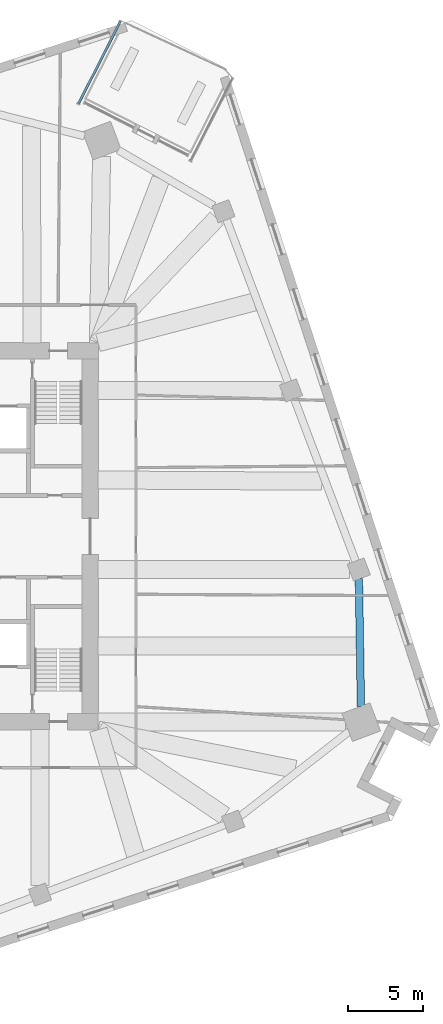
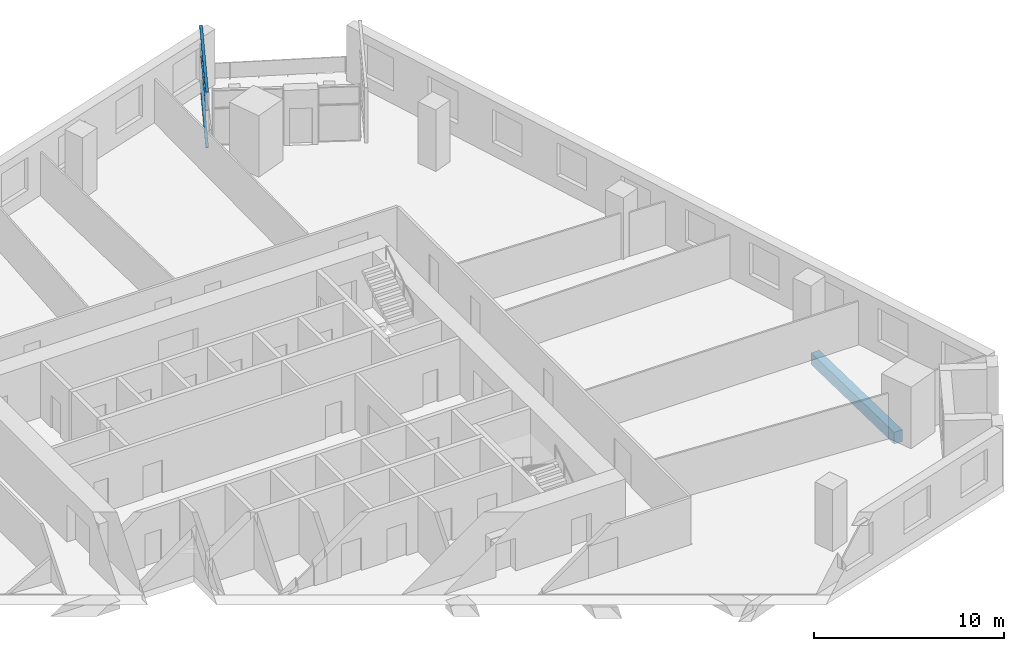
# One storey, part 3 of 12: 3 members, 1 beam, 1 element without a shape of its own.
"""IFC4 building model written with IfcOpenShell, lengths in metres."""

from ifc_helpers import new_model, si_unit, direction, frame, origin, origin_2d, place, context, subcontext, project, spatial, rectangle, extrude, material, material_profile, profile_set, type_object, element, aggregate, save


model = new_model("IFC4")

# Units and contexts
model_context = context("Model", 3, precision=1e-05, world=origin(), true_north=direction((0.0, 1.0)))
body_context = subcontext(model_context, "Body", "Model", "MODEL_VIEW")
ifc_project = project(units=[si_unit("LENGTHUNIT", "METRE"), si_unit("AREAUNIT", "SQUARE_METRE"), si_unit("VOLUMEUNIT", "CUBIC_METRE"), si_unit("PLANEANGLEUNIT", "RADIAN"), si_unit("MASSUNIT", "GRAM", prefix="KILO")], contexts=[model_context])

# Site, building, storey
site_placement = place(None, origin())
site = spatial("IfcSite", under=ifc_project, at=site_placement, CompositionType="ELEMENT")
building_placement = place(site_placement, origin())
building = spatial("IfcBuilding", under=site, at=building_placement, Name="Dilmun Exchange Tower", CompositionType="ELEMENT")
storey_placement = place(building_placement, frame((0.0, 0.0, 98.10009765625)))
storey = spatial("IfcBuildingStorey", under=building, at=storey_placement, Name="L22", CompositionType="ELEMENT", Elevation=98.10009765625)

# Curtain wall, members
ifc_material_1 = material(Name="Anodised aluminium and clear glass", Category="aluminium")
curtain_wall_type = type_object("IfcCurtainWallType", Name="Garden corner glazing", PredefinedType="NOTDEFINED", material=ifc_material_1)
curtain_wall_placement = place(storey_placement, origin())
curtain_wall = element("IfcCurtainWall", 1, at=curtain_wall_placement, inside=storey, type_object=curtain_wall_type, Name="Garden corner glazing run GC3.1", PredefinedType="NOTDEFINED")
ifc_material_2 = material(Name="Anodised aluminium", Category="aluminium")
ifc_material_profile_1 = material_profile(ifc_material_2, rectangle(XDim=0.159912109375, YDim=0.06005859375, at=origin_2d()), Name="AL 60x160")
ifc_profile_set_1 = profile_set([ifc_material_profile_1], Name="Anodised aluminium")
member_type = type_object("IfcMemberType", Name="Garden corner glazing transom 60 x 160", PredefinedType="USERDEFINED", material=ifc_profile_set_1)
member_1_placement = place(storey_placement, frame((11.572509765625, 28.824462890625, 0.02978515625), z_axis=(0.453975328977, 0.891014253915, 0.0), x_axis=(-0.891014253915, 0.453975328977, 0.0)))
member_1 = element("IfcMember", 2, at=member_1_placement, type_object=member_type, Name="GC3.1 transom 1.1", ObjectType="TRANSOM", PredefinedType="USERDEFINED", context=body_context, shape_type="SweptSolid", body=[
    extrude(rectangle(XDim=0.159912109375, YDim=0.06005859375, at=origin_2d()), origin(), (0.0, 0.0, 1.0), 6.12646484375),
])
member_2_placement = place(storey_placement, frame((11.572509765625, 28.824462890625, 2.39990234375), z_axis=(0.453975328977, 0.891014253915, 0.0), x_axis=(-0.891014253915, 0.453975328977, 0.0)))
member_2 = element("IfcMember", 3, at=member_2_placement, type_object=member_type, Name="GC3.1 transom 1.2", ObjectType="TRANSOM", PredefinedType="USERDEFINED", context=body_context, shape_type="SweptSolid", body=[
    extrude(rectangle(XDim=0.159912109375, YDim=0.06005859375, at=origin_2d()), origin(), (0.0, 0.0, 1.0), 6.12646484375),
])
member_3_placement = place(storey_placement, frame((11.572509765625, 28.824462890625, 3.5498046875), z_axis=(0.453975328977, 0.891014253915, 0.0), x_axis=(-0.891014253915, 0.453975328977, 0.0)))
member_3 = element("IfcMember", 4, at=member_3_placement, type_object=member_type, Name="GC3.1 transom 1.3", ObjectType="TRANSOM", PredefinedType="USERDEFINED", context=body_context, shape_type="SweptSolid", body=[
    extrude(rectangle(XDim=0.159912109375, YDim=0.06005859375, at=origin_2d()), origin(), (0.0, 0.0, 1.0), 6.12646484375),
])
aggregate(curtain_wall, [member_1, member_2, member_3])

# Beam
ifc_material_3 = material(Name="Concrete C40/50", Category="concrete")
ifc_material_profile_2 = material_profile(ifc_material_3, rectangle(XDim=0.5, YDim=0.75, at=origin_2d()), Name="500 x 750")
ifc_profile_set_2 = profile_set([ifc_material_profile_2], Name="Concrete C40/50")
beam_type = type_object("IfcBeamType", Name="RC ring beam 500 x 750 C40/50", PredefinedType="SPANDREL", material=ifc_profile_set_2)
beam_placement = place(storey_placement, frame((30.37744140625, -11.33544921875, -0.795166015625), z_axis=(-0.016054357527, 0.999871120497, 0.0), x_axis=(-0.999871120497, -0.016054357527, 0.0)))
element("IfcBeam", 5, at=beam_placement, inside=storey, type_object=beam_type, Name="Ring beam 13", PredefinedType="SPANDREL", context=body_context, shape_type="SweptSolid", body=[
    extrude(rectangle(XDim=0.5, YDim=0.75, at=origin_2d()), origin(), (0.0, 0.0, 1.0), 8.515869140625),
])

save(model, "model.ifc")
